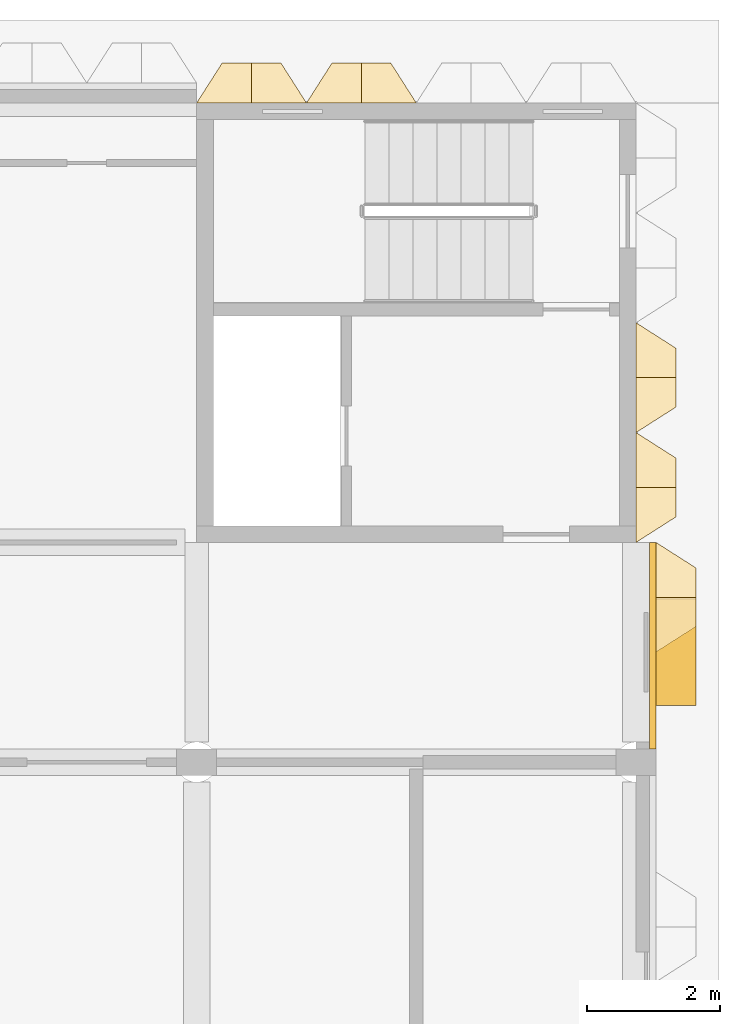
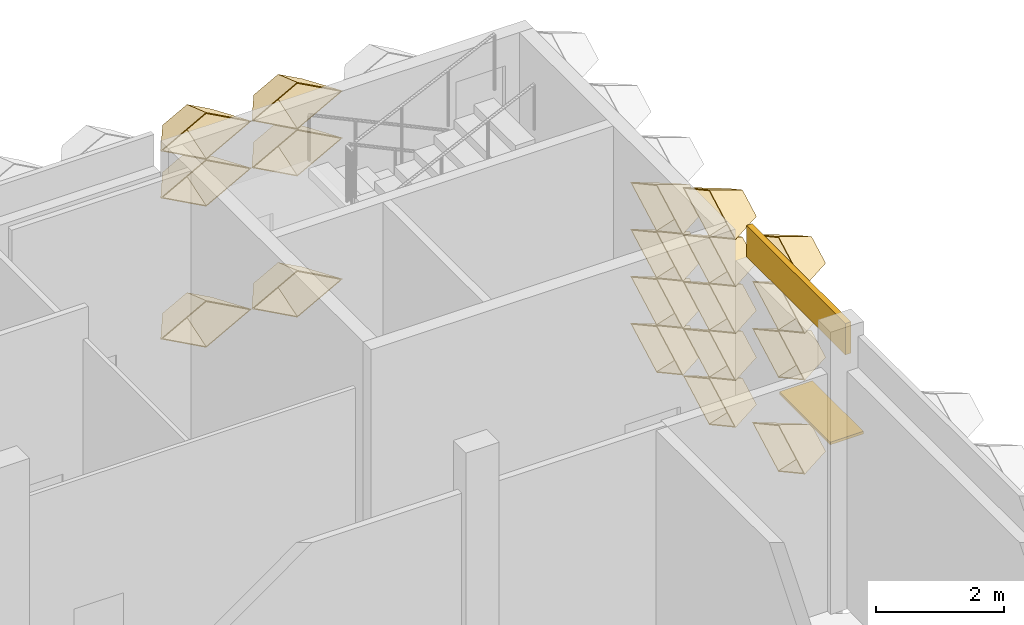
# One storey, part 83 of 85: 20 coverings, 1 shading device.
"""IFC4 building model written with IfcOpenShell, lengths in metres."""

from ifc_helpers import new_model, entity, si_unit, direction, frame, frame_2d, origin, origin_2d, place, context, subcontext, project, spatial, rectangle, extrude, material, layer, layer_set, type_object, element, save


model = new_model("IFC4")

# Units and contexts
model_context = context("Model", 3, precision=1e-05, world=origin(), true_north=direction((0.0, 1.0)))
body_context = subcontext(model_context, "Body", "Model", "MODEL_VIEW")
ifc_project = project(units=[si_unit("LENGTHUNIT", "METRE"), si_unit("AREAUNIT", "SQUARE_METRE"), si_unit("VOLUMEUNIT", "CUBIC_METRE"), si_unit("PLANEANGLEUNIT", "RADIAN"), si_unit("MASSUNIT", "GRAM", prefix="KILO")], contexts=[model_context])

# Site, building, storey
site_placement = place(None, origin())
site = spatial("IfcSite", under=ifc_project, at=site_placement, CompositionType="ELEMENT")
building_placement = place(site_placement, origin())
building = spatial("IfcBuilding", under=site, at=building_placement, Name="Lantern Court Research Institute", CompositionType="ELEMENT")
storey_placement = place(building_placement, origin())
storey = spatial("IfcBuildingStorey", under=building, at=storey_placement, Name="L00", CompositionType="ELEMENT", Elevation=0.0)

# Shading device
ifc_material_1 = material(Name="Aluminium alloy 6063-T6", Category="aluminium")
ifc_layer_1 = layer(ifc_material_1, 0.050048828125)
ifc_layer_set_1 = layer_set([ifc_layer_1], Name="Aluminium alloy 6063-T6")
shading_device_type = type_object("IfcShadingDeviceType", Name="Brise-soleil blade 1600 x 600 x 50 aluminium", PredefinedType="USERDEFINED", material=ifc_layer_set_1)
shading_device_placement = place(storey_placement, frame((79.800048828125, 90.75, 2.39990234375), z_axis=(0.0, 0.0, 1.0), x_axis=(0.0, -1.0, 0.0)))
element("IfcShadingDevice", 1, at=shading_device_placement, inside=storey, type_object=shading_device_type, Name="Brise-soleil blade L00 E", ObjectType="LOUVRE", PredefinedType="USERDEFINED", context=body_context, shape_type="SweptSolid", body=[
    extrude(rectangle(XDim=1.60009765625, YDim=0.60009765625, at=origin_2d()), origin(), (0.0, 0.0, 1.0), 0.050048828125),
])

# Coverings
ifc_material_2 = material(Name="Aluminium composite panel with mineral wool insulation", Category="aluminium")
ifc_layer_2 = layer(ifc_material_2, 0.10009765625)
ifc_layer_set_2 = layer_set([ifc_layer_2], Name="Aluminium composite panel with mineral wool insulation")
covering_type_1 = type_object("IfcCoveringType", Name="Edge fascia panel 100 aluminium faced", PredefinedType="CLADDING", material=ifc_layer_set_2)
covering_1_placement = place(storey_placement, frame((79.449951171875, 92.39990234375, 4.550048828125), z_axis=(0.0, 0.0, 1.0), x_axis=(0.0, -1.0, 0.0)))
element("IfcCovering", 2, at=covering_1_placement, inside=storey, type_object=covering_type_1, Name="Edge fascia V6E L00 02", PredefinedType="CLADDING", context=body_context, shape_type="SweptSolid", body=[
    extrude(rectangle(XDim=3.099853515625, YDim=0.10009765625, at=frame_2d((1.5498046875, 0.0))), origin(), (0.0, 0.0, 1.0), 0.599853515625),
])
ifc_material_3 = material(Name="Anodised aluminium", Category="aluminium")
ifc_layer_3 = layer(ifc_material_3, 0.01611328125)
ifc_layer_set_3 = layer_set([ifc_layer_3], Name="Anodised aluminium")
covering_type_2 = type_object("IfcCoveringType", Name="Fin cassette 1650 x 900 x 600 aluminium", PredefinedType="CLADDING", material=ifc_layer_set_3)
covering_2_placement = place(storey_placement, frame((79.199951171875, 93.22509765625, 1.35009765625), z_axis=(1.0, 0.0, 0.0), x_axis=(0.0, 1.0, 0.0)))
cartesian_point_1 = entity("IfcCartesianPoint", [0.824951171875, 0.0])
cartesian_point_2 = entity("IfcCartesianPoint", [0.79150390625, 0.0])
cartesian_point_3 = entity("IfcCartesianPoint", [0.44189453125, 0.0])
cartesian_point_4 = entity("IfcCartesianPoint", [0.43359375, 0.0])
element("IfcCovering", 3, at=covering_2_placement, inside=storey, type_object=covering_type_2, Name="Fin cassette V6E-L00 2.57", PredefinedType="CLADDING", context=body_context, shape_type="SweptSolid", body=[
    entity("IfcExtrudedAreaSolidTapered", entity("IfcArbitraryProfileDefWithVoids", "AREA", None, entity("IfcPolyline", [cartesian_point_1, entity("IfcCartesianPoint", [0.0, 0.449951171875]), entity("IfcCartesianPoint", [-0.824951171875, 0.0]), entity("IfcCartesianPoint", [0.0, -0.449951171875]), cartesian_point_1]), [entity("IfcPolyline", [cartesian_point_2, entity("IfcCartesianPoint", [0.0, 0.431884765625]), entity("IfcCartesianPoint", [-0.79150390625, 0.0]), entity("IfcCartesianPoint", [0.0, -0.431884765625]), cartesian_point_2])]), entity("IfcAxis2Placement3D", entity("IfcCartesianPoint", [0.0, 0.0, 0.0])), entity("IfcDirection", [0.0, 0.0, 1.0]), 0.60009765625, entity("IfcArbitraryProfileDefWithVoids", "AREA", None, entity("IfcPolyline", [cartesian_point_3, entity("IfcCartesianPoint", [0.0, 0.240966796875]), entity("IfcCartesianPoint", [-0.44189453125, 0.0]), entity("IfcCartesianPoint", [0.0, -0.240966796875]), cartesian_point_3]), [entity("IfcPolyline", [cartesian_point_4, entity("IfcCartesianPoint", [0.0, 0.236572265625]), entity("IfcCartesianPoint", [-0.43359375, 0.0]), entity("IfcCartesianPoint", [0.0, -0.236572265625]), cartesian_point_4])])),
])
covering_3_placement = place(storey_placement, frame((79.199951171875, 94.875, 1.35009765625), z_axis=(1.0, 0.0, 0.0), x_axis=(0.0, 1.0, 0.0)))
cartesian_point_5 = entity("IfcCartesianPoint", [0.824951171875, 0.0])
cartesian_point_6 = entity("IfcCartesianPoint", [0.79150390625, 0.0])
cartesian_point_7 = entity("IfcCartesianPoint", [0.44189453125, 0.0])
cartesian_point_8 = entity("IfcCartesianPoint", [0.43359375, 0.0])
element("IfcCovering", 4, at=covering_3_placement, inside=storey, type_object=covering_type_2, Name="Fin cassette V6E-L00 2.58", PredefinedType="CLADDING", context=body_context, shape_type="SweptSolid", body=[
    entity("IfcExtrudedAreaSolidTapered", entity("IfcArbitraryProfileDefWithVoids", "AREA", None, entity("IfcPolyline", [cartesian_point_5, entity("IfcCartesianPoint", [0.0, 0.449951171875]), entity("IfcCartesianPoint", [-0.824951171875, 0.0]), entity("IfcCartesianPoint", [0.0, -0.449951171875]), cartesian_point_5]), [entity("IfcPolyline", [cartesian_point_6, entity("IfcCartesianPoint", [0.0, 0.431884765625]), entity("IfcCartesianPoint", [-0.79150390625, 0.0]), entity("IfcCartesianPoint", [0.0, -0.431884765625]), cartesian_point_6])]), entity("IfcAxis2Placement3D", entity("IfcCartesianPoint", [0.0, 0.0, 0.0])), entity("IfcDirection", [0.0, 0.0, 1.0]), 0.60009765625, entity("IfcArbitraryProfileDefWithVoids", "AREA", None, entity("IfcPolyline", [cartesian_point_7, entity("IfcCartesianPoint", [0.0, 0.240966796875]), entity("IfcCartesianPoint", [-0.44189453125, 0.0]), entity("IfcCartesianPoint", [0.0, -0.240966796875]), cartesian_point_7]), [entity("IfcPolyline", [cartesian_point_8, entity("IfcCartesianPoint", [0.0, 0.236572265625]), entity("IfcCartesianPoint", [-0.43359375, 0.0]), entity("IfcCartesianPoint", [0.0, -0.236572265625]), cartesian_point_8])])),
])
covering_4_placement = place(storey_placement, frame((79.199951171875, 93.22509765625, 2.25), z_axis=(1.0, 0.0, 0.0), x_axis=(0.0, 1.0, 0.0)))
cartesian_point_9 = entity("IfcCartesianPoint", [0.824951171875, 0.0])
cartesian_point_10 = entity("IfcCartesianPoint", [0.79150390625, 0.0])
cartesian_point_11 = entity("IfcCartesianPoint", [0.44189453125, 0.0])
cartesian_point_12 = entity("IfcCartesianPoint", [0.43359375, 0.0])
element("IfcCovering", 5, at=covering_4_placement, inside=storey, type_object=covering_type_2, Name="Fin cassette V6E-L00 3.57", PredefinedType="CLADDING", context=body_context, shape_type="SweptSolid", body=[
    entity("IfcExtrudedAreaSolidTapered", entity("IfcArbitraryProfileDefWithVoids", "AREA", None, entity("IfcPolyline", [cartesian_point_9, entity("IfcCartesianPoint", [0.0, 0.449951171875]), entity("IfcCartesianPoint", [-0.824951171875, 0.0]), entity("IfcCartesianPoint", [0.0, -0.449951171875]), cartesian_point_9]), [entity("IfcPolyline", [cartesian_point_10, entity("IfcCartesianPoint", [0.0, 0.431884765625]), entity("IfcCartesianPoint", [-0.79150390625, 0.0]), entity("IfcCartesianPoint", [0.0, -0.431884765625]), cartesian_point_10])]), entity("IfcAxis2Placement3D", entity("IfcCartesianPoint", [0.0, 0.0, 0.0])), entity("IfcDirection", [0.0, 0.0, 1.0]), 0.60009765625, entity("IfcArbitraryProfileDefWithVoids", "AREA", None, entity("IfcPolyline", [cartesian_point_11, entity("IfcCartesianPoint", [0.0, 0.240966796875]), entity("IfcCartesianPoint", [-0.44189453125, 0.0]), entity("IfcCartesianPoint", [0.0, -0.240966796875]), cartesian_point_11]), [entity("IfcPolyline", [cartesian_point_12, entity("IfcCartesianPoint", [0.0, 0.236572265625]), entity("IfcCartesianPoint", [-0.43359375, 0.0]), entity("IfcCartesianPoint", [0.0, -0.236572265625]), cartesian_point_12])])),
])
covering_5_placement = place(storey_placement, frame((79.199951171875, 94.875, 2.25), z_axis=(1.0, 0.0, 0.0), x_axis=(0.0, 1.0, 0.0)))
cartesian_point_13 = entity("IfcCartesianPoint", [0.824951171875, 0.0])
cartesian_point_14 = entity("IfcCartesianPoint", [0.79150390625, 0.0])
cartesian_point_15 = entity("IfcCartesianPoint", [0.44189453125, 0.0])
cartesian_point_16 = entity("IfcCartesianPoint", [0.43359375, 0.0])
element("IfcCovering", 6, at=covering_5_placement, inside=storey, type_object=covering_type_2, Name="Fin cassette V6E-L00 3.58", PredefinedType="CLADDING", context=body_context, shape_type="SweptSolid", body=[
    entity("IfcExtrudedAreaSolidTapered", entity("IfcArbitraryProfileDefWithVoids", "AREA", None, entity("IfcPolyline", [cartesian_point_13, entity("IfcCartesianPoint", [0.0, 0.449951171875]), entity("IfcCartesianPoint", [-0.824951171875, 0.0]), entity("IfcCartesianPoint", [0.0, -0.449951171875]), cartesian_point_13]), [entity("IfcPolyline", [cartesian_point_14, entity("IfcCartesianPoint", [0.0, 0.431884765625]), entity("IfcCartesianPoint", [-0.79150390625, 0.0]), entity("IfcCartesianPoint", [0.0, -0.431884765625]), cartesian_point_14])]), entity("IfcAxis2Placement3D", entity("IfcCartesianPoint", [0.0, 0.0, 0.0])), entity("IfcDirection", [0.0, 0.0, 1.0]), 0.60009765625, entity("IfcArbitraryProfileDefWithVoids", "AREA", None, entity("IfcPolyline", [cartesian_point_15, entity("IfcCartesianPoint", [0.0, 0.240966796875]), entity("IfcCartesianPoint", [-0.44189453125, 0.0]), entity("IfcCartesianPoint", [0.0, -0.240966796875]), cartesian_point_15]), [entity("IfcPolyline", [cartesian_point_16, entity("IfcCartesianPoint", [0.0, 0.236572265625]), entity("IfcCartesianPoint", [-0.43359375, 0.0]), entity("IfcCartesianPoint", [0.0, -0.236572265625]), cartesian_point_16])])),
])
covering_6_placement = place(storey_placement, frame((79.199951171875, 93.22509765625, 3.14990234375), z_axis=(1.0, 0.0, 0.0), x_axis=(0.0, 1.0, 0.0)))
cartesian_point_17 = entity("IfcCartesianPoint", [0.824951171875, 0.0])
cartesian_point_18 = entity("IfcCartesianPoint", [0.79150390625, 0.0])
cartesian_point_19 = entity("IfcCartesianPoint", [0.44189453125, 0.0])
cartesian_point_20 = entity("IfcCartesianPoint", [0.43359375, 0.0])
element("IfcCovering", 7, at=covering_6_placement, inside=storey, type_object=covering_type_2, Name="Fin cassette V6E-L00 4.57", PredefinedType="CLADDING", context=body_context, shape_type="SweptSolid", body=[
    entity("IfcExtrudedAreaSolidTapered", entity("IfcArbitraryProfileDefWithVoids", "AREA", None, entity("IfcPolyline", [cartesian_point_17, entity("IfcCartesianPoint", [0.0, 0.449951171875]), entity("IfcCartesianPoint", [-0.824951171875, 0.0]), entity("IfcCartesianPoint", [0.0, -0.449951171875]), cartesian_point_17]), [entity("IfcPolyline", [cartesian_point_18, entity("IfcCartesianPoint", [0.0, 0.431884765625]), entity("IfcCartesianPoint", [-0.79150390625, 0.0]), entity("IfcCartesianPoint", [0.0, -0.431884765625]), cartesian_point_18])]), entity("IfcAxis2Placement3D", entity("IfcCartesianPoint", [0.0, 0.0, 0.0])), entity("IfcDirection", [0.0, 0.0, 1.0]), 0.60009765625, entity("IfcArbitraryProfileDefWithVoids", "AREA", None, entity("IfcPolyline", [cartesian_point_19, entity("IfcCartesianPoint", [0.0, 0.240966796875]), entity("IfcCartesianPoint", [-0.44189453125, 0.0]), entity("IfcCartesianPoint", [0.0, -0.240966796875]), cartesian_point_19]), [entity("IfcPolyline", [cartesian_point_20, entity("IfcCartesianPoint", [0.0, 0.236572265625]), entity("IfcCartesianPoint", [-0.43359375, 0.0]), entity("IfcCartesianPoint", [0.0, -0.236572265625]), cartesian_point_20])])),
])
covering_7_placement = place(storey_placement, frame((79.199951171875, 94.875, 3.14990234375), z_axis=(1.0, 0.0, 0.0), x_axis=(0.0, 1.0, 0.0)))
cartesian_point_21 = entity("IfcCartesianPoint", [0.824951171875, 0.0])
cartesian_point_22 = entity("IfcCartesianPoint", [0.79150390625, 0.0])
cartesian_point_23 = entity("IfcCartesianPoint", [0.44189453125, 0.0])
cartesian_point_24 = entity("IfcCartesianPoint", [0.43359375, 0.0])
element("IfcCovering", 8, at=covering_7_placement, inside=storey, type_object=covering_type_2, Name="Fin cassette V6E-L00 4.58", PredefinedType="CLADDING", context=body_context, shape_type="SweptSolid", body=[
    entity("IfcExtrudedAreaSolidTapered", entity("IfcArbitraryProfileDefWithVoids", "AREA", None, entity("IfcPolyline", [cartesian_point_21, entity("IfcCartesianPoint", [0.0, 0.449951171875]), entity("IfcCartesianPoint", [-0.824951171875, 0.0]), entity("IfcCartesianPoint", [0.0, -0.449951171875]), cartesian_point_21]), [entity("IfcPolyline", [cartesian_point_22, entity("IfcCartesianPoint", [0.0, 0.431884765625]), entity("IfcCartesianPoint", [-0.79150390625, 0.0]), entity("IfcCartesianPoint", [0.0, -0.431884765625]), cartesian_point_22])]), entity("IfcAxis2Placement3D", entity("IfcCartesianPoint", [0.0, 0.0, 0.0])), entity("IfcDirection", [0.0, 0.0, 1.0]), 0.60009765625, entity("IfcArbitraryProfileDefWithVoids", "AREA", None, entity("IfcPolyline", [cartesian_point_23, entity("IfcCartesianPoint", [0.0, 0.240966796875]), entity("IfcCartesianPoint", [-0.44189453125, 0.0]), entity("IfcCartesianPoint", [0.0, -0.240966796875]), cartesian_point_23]), [entity("IfcPolyline", [cartesian_point_24, entity("IfcCartesianPoint", [0.0, 0.236572265625]), entity("IfcCartesianPoint", [-0.43359375, 0.0]), entity("IfcCartesianPoint", [0.0, -0.236572265625]), cartesian_point_24])])),
])
covering_8_placement = place(storey_placement, frame((79.199951171875, 93.22509765625, 4.050048828125), z_axis=(1.0, 0.0, 0.0), x_axis=(0.0, 1.0, 0.0)))
cartesian_point_25 = entity("IfcCartesianPoint", [0.824951171875, 0.0])
cartesian_point_26 = entity("IfcCartesianPoint", [0.79150390625, 0.0])
cartesian_point_27 = entity("IfcCartesianPoint", [0.44189453125, 0.0])
cartesian_point_28 = entity("IfcCartesianPoint", [0.43359375, 0.0])
element("IfcCovering", 9, at=covering_8_placement, inside=storey, type_object=covering_type_2, Name="Fin cassette V6E-L00 5.57", PredefinedType="CLADDING", context=body_context, shape_type="SweptSolid", body=[
    entity("IfcExtrudedAreaSolidTapered", entity("IfcArbitraryProfileDefWithVoids", "AREA", None, entity("IfcPolyline", [cartesian_point_25, entity("IfcCartesianPoint", [0.0, 0.449951171875]), entity("IfcCartesianPoint", [-0.824951171875, 0.0]), entity("IfcCartesianPoint", [0.0, -0.449951171875]), cartesian_point_25]), [entity("IfcPolyline", [cartesian_point_26, entity("IfcCartesianPoint", [0.0, 0.431884765625]), entity("IfcCartesianPoint", [-0.79150390625, 0.0]), entity("IfcCartesianPoint", [0.0, -0.431884765625]), cartesian_point_26])]), entity("IfcAxis2Placement3D", entity("IfcCartesianPoint", [0.0, 0.0, 0.0])), entity("IfcDirection", [0.0, 0.0, 1.0]), 0.60009765625, entity("IfcArbitraryProfileDefWithVoids", "AREA", None, entity("IfcPolyline", [cartesian_point_27, entity("IfcCartesianPoint", [0.0, 0.240966796875]), entity("IfcCartesianPoint", [-0.44189453125, 0.0]), entity("IfcCartesianPoint", [0.0, -0.240966796875]), cartesian_point_27]), [entity("IfcPolyline", [cartesian_point_28, entity("IfcCartesianPoint", [0.0, 0.236572265625]), entity("IfcCartesianPoint", [-0.43359375, 0.0]), entity("IfcCartesianPoint", [0.0, -0.236572265625]), cartesian_point_28])])),
])
covering_9_placement = place(storey_placement, frame((79.199951171875, 94.875, 4.050048828125), z_axis=(1.0, 0.0, 0.0), x_axis=(0.0, 1.0, 0.0)))
cartesian_point_29 = entity("IfcCartesianPoint", [0.824951171875, 0.0])
cartesian_point_30 = entity("IfcCartesianPoint", [0.79150390625, 0.0])
cartesian_point_31 = entity("IfcCartesianPoint", [0.44189453125, 0.0])
cartesian_point_32 = entity("IfcCartesianPoint", [0.43359375, 0.0])
element("IfcCovering", 10, at=covering_9_placement, inside=storey, type_object=covering_type_2, Name="Fin cassette V6E-L00 5.58", PredefinedType="CLADDING", context=body_context, shape_type="SweptSolid", body=[
    entity("IfcExtrudedAreaSolidTapered", entity("IfcArbitraryProfileDefWithVoids", "AREA", None, entity("IfcPolyline", [cartesian_point_29, entity("IfcCartesianPoint", [0.0, 0.449951171875]), entity("IfcCartesianPoint", [-0.824951171875, 0.0]), entity("IfcCartesianPoint", [0.0, -0.449951171875]), cartesian_point_29]), [entity("IfcPolyline", [cartesian_point_30, entity("IfcCartesianPoint", [0.0, 0.431884765625]), entity("IfcCartesianPoint", [-0.79150390625, 0.0]), entity("IfcCartesianPoint", [0.0, -0.431884765625]), cartesian_point_30])]), entity("IfcAxis2Placement3D", entity("IfcCartesianPoint", [0.0, 0.0, 0.0])), entity("IfcDirection", [0.0, 0.0, 1.0]), 0.60009765625, entity("IfcArbitraryProfileDefWithVoids", "AREA", None, entity("IfcPolyline", [cartesian_point_31, entity("IfcCartesianPoint", [0.0, 0.240966796875]), entity("IfcCartesianPoint", [-0.44189453125, 0.0]), entity("IfcCartesianPoint", [0.0, -0.240966796875]), cartesian_point_31]), [entity("IfcPolyline", [cartesian_point_32, entity("IfcCartesianPoint", [0.0, 0.236572265625]), entity("IfcCartesianPoint", [-0.43359375, 0.0]), entity("IfcCartesianPoint", [0.0, -0.236572265625]), cartesian_point_32])])),
])
covering_10_placement = place(storey_placement, frame((79.199951171875, 93.22509765625, 4.949951171875), z_axis=(1.0, 0.0, 0.0), x_axis=(0.0, 1.0, 0.0)))
cartesian_point_33 = entity("IfcCartesianPoint", [0.824951171875, 0.0])
cartesian_point_34 = entity("IfcCartesianPoint", [0.79150390625, 0.0])
cartesian_point_35 = entity("IfcCartesianPoint", [0.44189453125, 0.0])
cartesian_point_36 = entity("IfcCartesianPoint", [0.43359375, 0.0])
element("IfcCovering", 11, at=covering_10_placement, inside=storey, type_object=covering_type_2, Name="Fin cassette V6E-L00 6.57", PredefinedType="CLADDING", context=body_context, shape_type="SweptSolid", body=[
    entity("IfcExtrudedAreaSolidTapered", entity("IfcArbitraryProfileDefWithVoids", "AREA", None, entity("IfcPolyline", [cartesian_point_33, entity("IfcCartesianPoint", [0.0, 0.449951171875]), entity("IfcCartesianPoint", [-0.824951171875, 0.0]), entity("IfcCartesianPoint", [0.0, -0.449951171875]), cartesian_point_33]), [entity("IfcPolyline", [cartesian_point_34, entity("IfcCartesianPoint", [0.0, 0.431884765625]), entity("IfcCartesianPoint", [-0.79150390625, 0.0]), entity("IfcCartesianPoint", [0.0, -0.431884765625]), cartesian_point_34])]), entity("IfcAxis2Placement3D", entity("IfcCartesianPoint", [0.0, 0.0, 0.0])), entity("IfcDirection", [0.0, 0.0, 1.0]), 0.60009765625, entity("IfcArbitraryProfileDefWithVoids", "AREA", None, entity("IfcPolyline", [cartesian_point_35, entity("IfcCartesianPoint", [0.0, 0.240966796875]), entity("IfcCartesianPoint", [-0.44189453125, 0.0]), entity("IfcCartesianPoint", [0.0, -0.240966796875]), cartesian_point_35]), [entity("IfcPolyline", [cartesian_point_36, entity("IfcCartesianPoint", [0.0, 0.236572265625]), entity("IfcCartesianPoint", [-0.43359375, 0.0]), entity("IfcCartesianPoint", [0.0, -0.236572265625]), cartesian_point_36])])),
])
covering_11_placement = place(storey_placement, frame((79.5, 91.574951171875, 1.35009765625), z_axis=(1.0, 0.0, 0.0), x_axis=(0.0, 1.0, 0.0)))
cartesian_point_37 = entity("IfcCartesianPoint", [0.824951171875, 0.0])
cartesian_point_38 = entity("IfcCartesianPoint", [0.79150390625, 0.0])
cartesian_point_39 = entity("IfcCartesianPoint", [0.44189453125, 0.0])
cartesian_point_40 = entity("IfcCartesianPoint", [0.43359375, 0.0])
element("IfcCovering", 12, at=covering_11_placement, inside=storey, type_object=covering_type_2, Name="Fin cassette V6E-L00 2.56", PredefinedType="CLADDING", context=body_context, shape_type="SweptSolid", body=[
    entity("IfcExtrudedAreaSolidTapered", entity("IfcArbitraryProfileDefWithVoids", "AREA", None, entity("IfcPolyline", [cartesian_point_37, entity("IfcCartesianPoint", [0.0, 0.449951171875]), entity("IfcCartesianPoint", [-0.824951171875, 0.0]), entity("IfcCartesianPoint", [0.0, -0.449951171875]), cartesian_point_37]), [entity("IfcPolyline", [cartesian_point_38, entity("IfcCartesianPoint", [0.0, 0.431884765625]), entity("IfcCartesianPoint", [-0.79150390625, 0.0]), entity("IfcCartesianPoint", [0.0, -0.431884765625]), cartesian_point_38])]), entity("IfcAxis2Placement3D", entity("IfcCartesianPoint", [0.0, 0.0, 0.0])), entity("IfcDirection", [0.0, 0.0, 1.0]), 0.60009765625, entity("IfcArbitraryProfileDefWithVoids", "AREA", None, entity("IfcPolyline", [cartesian_point_39, entity("IfcCartesianPoint", [0.0, 0.240966796875]), entity("IfcCartesianPoint", [-0.44189453125, 0.0]), entity("IfcCartesianPoint", [0.0, -0.240966796875]), cartesian_point_39]), [entity("IfcPolyline", [cartesian_point_40, entity("IfcCartesianPoint", [0.0, 0.236572265625]), entity("IfcCartesianPoint", [-0.43359375, 0.0]), entity("IfcCartesianPoint", [0.0, -0.236572265625]), cartesian_point_40])])),
])
covering_12_placement = place(storey_placement, frame((79.5, 91.574951171875, 3.14990234375), z_axis=(1.0, 0.0, 0.0), x_axis=(0.0, 1.0, 0.0)))
cartesian_point_41 = entity("IfcCartesianPoint", [0.824951171875, 0.0])
cartesian_point_42 = entity("IfcCartesianPoint", [0.79150390625, 0.0])
cartesian_point_43 = entity("IfcCartesianPoint", [0.44189453125, 0.0])
cartesian_point_44 = entity("IfcCartesianPoint", [0.43359375, 0.0])
element("IfcCovering", 13, at=covering_12_placement, inside=storey, type_object=covering_type_2, Name="Fin cassette V6E-L00 4.56", PredefinedType="CLADDING", context=body_context, shape_type="SweptSolid", body=[
    entity("IfcExtrudedAreaSolidTapered", entity("IfcArbitraryProfileDefWithVoids", "AREA", None, entity("IfcPolyline", [cartesian_point_41, entity("IfcCartesianPoint", [0.0, 0.449951171875]), entity("IfcCartesianPoint", [-0.824951171875, 0.0]), entity("IfcCartesianPoint", [0.0, -0.449951171875]), cartesian_point_41]), [entity("IfcPolyline", [cartesian_point_42, entity("IfcCartesianPoint", [0.0, 0.431884765625]), entity("IfcCartesianPoint", [-0.79150390625, 0.0]), entity("IfcCartesianPoint", [0.0, -0.431884765625]), cartesian_point_42])]), entity("IfcAxis2Placement3D", entity("IfcCartesianPoint", [0.0, 0.0, 0.0])), entity("IfcDirection", [0.0, 0.0, 1.0]), 0.60009765625, entity("IfcArbitraryProfileDefWithVoids", "AREA", None, entity("IfcPolyline", [cartesian_point_43, entity("IfcCartesianPoint", [0.0, 0.240966796875]), entity("IfcCartesianPoint", [-0.44189453125, 0.0]), entity("IfcCartesianPoint", [0.0, -0.240966796875]), cartesian_point_43]), [entity("IfcPolyline", [cartesian_point_44, entity("IfcCartesianPoint", [0.0, 0.236572265625]), entity("IfcCartesianPoint", [-0.43359375, 0.0]), entity("IfcCartesianPoint", [0.0, -0.236572265625]), cartesian_point_44])])),
])
covering_13_placement = place(storey_placement, frame((79.5, 91.574951171875, 4.050048828125), z_axis=(1.0, 0.0, 0.0), x_axis=(0.0, 1.0, 0.0)))
cartesian_point_45 = entity("IfcCartesianPoint", [0.824951171875, 0.0])
cartesian_point_46 = entity("IfcCartesianPoint", [0.79150390625, 0.0])
cartesian_point_47 = entity("IfcCartesianPoint", [0.44189453125, 0.0])
cartesian_point_48 = entity("IfcCartesianPoint", [0.43359375, 0.0])
element("IfcCovering", 14, at=covering_13_placement, inside=storey, type_object=covering_type_2, Name="Fin cassette V6E-L00 5.56", PredefinedType="CLADDING", context=body_context, shape_type="SweptSolid", body=[
    entity("IfcExtrudedAreaSolidTapered", entity("IfcArbitraryProfileDefWithVoids", "AREA", None, entity("IfcPolyline", [cartesian_point_45, entity("IfcCartesianPoint", [0.0, 0.449951171875]), entity("IfcCartesianPoint", [-0.824951171875, 0.0]), entity("IfcCartesianPoint", [0.0, -0.449951171875]), cartesian_point_45]), [entity("IfcPolyline", [cartesian_point_46, entity("IfcCartesianPoint", [0.0, 0.431884765625]), entity("IfcCartesianPoint", [-0.79150390625, 0.0]), entity("IfcCartesianPoint", [0.0, -0.431884765625]), cartesian_point_46])]), entity("IfcAxis2Placement3D", entity("IfcCartesianPoint", [0.0, 0.0, 0.0])), entity("IfcDirection", [0.0, 0.0, 1.0]), 0.60009765625, entity("IfcArbitraryProfileDefWithVoids", "AREA", None, entity("IfcPolyline", [cartesian_point_47, entity("IfcCartesianPoint", [0.0, 0.240966796875]), entity("IfcCartesianPoint", [-0.44189453125, 0.0]), entity("IfcCartesianPoint", [0.0, -0.240966796875]), cartesian_point_47]), [entity("IfcPolyline", [cartesian_point_48, entity("IfcCartesianPoint", [0.0, 0.236572265625]), entity("IfcCartesianPoint", [-0.43359375, 0.0]), entity("IfcCartesianPoint", [0.0, -0.236572265625]), cartesian_point_48])])),
])
covering_14_placement = place(storey_placement, frame((79.5, 91.574951171875, 4.949951171875), z_axis=(1.0, 0.0, 0.0), x_axis=(0.0, 1.0, 0.0)))
cartesian_point_49 = entity("IfcCartesianPoint", [0.824951171875, 0.0])
cartesian_point_50 = entity("IfcCartesianPoint", [0.79150390625, 0.0])
cartesian_point_51 = entity("IfcCartesianPoint", [0.44189453125, 0.0])
cartesian_point_52 = entity("IfcCartesianPoint", [0.43359375, 0.0])
element("IfcCovering", 15, at=covering_14_placement, inside=storey, type_object=covering_type_2, Name="Fin cassette V6E-L00 6.56", PredefinedType="CLADDING", context=body_context, shape_type="SweptSolid", body=[
    entity("IfcExtrudedAreaSolidTapered", entity("IfcArbitraryProfileDefWithVoids", "AREA", None, entity("IfcPolyline", [cartesian_point_49, entity("IfcCartesianPoint", [0.0, 0.449951171875]), entity("IfcCartesianPoint", [-0.824951171875, 0.0]), entity("IfcCartesianPoint", [0.0, -0.449951171875]), cartesian_point_49]), [entity("IfcPolyline", [cartesian_point_50, entity("IfcCartesianPoint", [0.0, 0.431884765625]), entity("IfcCartesianPoint", [-0.79150390625, 0.0]), entity("IfcCartesianPoint", [0.0, -0.431884765625]), cartesian_point_50])]), entity("IfcAxis2Placement3D", entity("IfcCartesianPoint", [0.0, 0.0, 0.0])), entity("IfcDirection", [0.0, 0.0, 1.0]), 0.60009765625, entity("IfcArbitraryProfileDefWithVoids", "AREA", None, entity("IfcPolyline", [cartesian_point_51, entity("IfcCartesianPoint", [0.0, 0.240966796875]), entity("IfcCartesianPoint", [-0.44189453125, 0.0]), entity("IfcCartesianPoint", [0.0, -0.240966796875]), cartesian_point_51]), [entity("IfcPolyline", [cartesian_point_52, entity("IfcCartesianPoint", [0.0, 0.236572265625]), entity("IfcCartesianPoint", [-0.43359375, 0.0]), entity("IfcCartesianPoint", [0.0, -0.236572265625]), cartesian_point_52])])),
])
covering_15_placement = place(storey_placement, frame((73.425048828125, 99.0, 1.35009765625), z_axis=(0.0, 1.0, 0.0), x_axis=(-1.0, 0.0, 0.0)))
cartesian_point_53 = entity("IfcCartesianPoint", [0.824951171875, 0.0])
cartesian_point_54 = entity("IfcCartesianPoint", [0.79150390625, 0.0])
cartesian_point_55 = entity("IfcCartesianPoint", [0.44189453125, 0.0])
cartesian_point_56 = entity("IfcCartesianPoint", [0.43359375, 0.0])
element("IfcCovering", 16, at=covering_15_placement, inside=storey, type_object=covering_type_2, Name="Fin cassette V6N-L00 2.45", PredefinedType="CLADDING", context=body_context, shape_type="SweptSolid", body=[
    entity("IfcExtrudedAreaSolidTapered", entity("IfcArbitraryProfileDefWithVoids", "AREA", None, entity("IfcPolyline", [cartesian_point_53, entity("IfcCartesianPoint", [0.0, 0.449951171875]), entity("IfcCartesianPoint", [-0.824951171875, 0.0]), entity("IfcCartesianPoint", [0.0, -0.449951171875]), cartesian_point_53]), [entity("IfcPolyline", [cartesian_point_54, entity("IfcCartesianPoint", [0.0, 0.431884765625]), entity("IfcCartesianPoint", [-0.79150390625, 0.0]), entity("IfcCartesianPoint", [0.0, -0.431884765625]), cartesian_point_54])]), entity("IfcAxis2Placement3D", entity("IfcCartesianPoint", [0.0, 0.0, 0.0])), entity("IfcDirection", [0.0, 0.0, 1.0]), 0.60009765625, entity("IfcArbitraryProfileDefWithVoids", "AREA", None, entity("IfcPolyline", [cartesian_point_55, entity("IfcCartesianPoint", [0.0, 0.240966796875]), entity("IfcCartesianPoint", [-0.44189453125, 0.0]), entity("IfcCartesianPoint", [0.0, -0.240966796875]), cartesian_point_55]), [entity("IfcPolyline", [cartesian_point_56, entity("IfcCartesianPoint", [0.0, 0.236572265625]), entity("IfcCartesianPoint", [-0.43359375, 0.0]), entity("IfcCartesianPoint", [0.0, -0.236572265625]), cartesian_point_56])])),
])
covering_16_placement = place(storey_placement, frame((75.074951171875, 99.0, 1.35009765625), z_axis=(0.0, 1.0, 0.0), x_axis=(-1.0, 0.0, 0.0)))
cartesian_point_57 = entity("IfcCartesianPoint", [0.824951171875, 0.0])
cartesian_point_58 = entity("IfcCartesianPoint", [0.79150390625, 0.0])
cartesian_point_59 = entity("IfcCartesianPoint", [0.44189453125, 0.0])
cartesian_point_60 = entity("IfcCartesianPoint", [0.43359375, 0.0])
element("IfcCovering", 17, at=covering_16_placement, inside=storey, type_object=covering_type_2, Name="Fin cassette V6N-L00 2.46", PredefinedType="CLADDING", context=body_context, shape_type="SweptSolid", body=[
    entity("IfcExtrudedAreaSolidTapered", entity("IfcArbitraryProfileDefWithVoids", "AREA", None, entity("IfcPolyline", [cartesian_point_57, entity("IfcCartesianPoint", [0.0, 0.449951171875]), entity("IfcCartesianPoint", [-0.824951171875, 0.0]), entity("IfcCartesianPoint", [0.0, -0.449951171875]), cartesian_point_57]), [entity("IfcPolyline", [cartesian_point_58, entity("IfcCartesianPoint", [0.0, 0.431884765625]), entity("IfcCartesianPoint", [-0.79150390625, 0.0]), entity("IfcCartesianPoint", [0.0, -0.431884765625]), cartesian_point_58])]), entity("IfcAxis2Placement3D", entity("IfcCartesianPoint", [0.0, 0.0, 0.0])), entity("IfcDirection", [0.0, 0.0, 1.0]), 0.60009765625, entity("IfcArbitraryProfileDefWithVoids", "AREA", None, entity("IfcPolyline", [cartesian_point_59, entity("IfcCartesianPoint", [0.0, 0.240966796875]), entity("IfcCartesianPoint", [-0.44189453125, 0.0]), entity("IfcCartesianPoint", [0.0, -0.240966796875]), cartesian_point_59]), [entity("IfcPolyline", [cartesian_point_60, entity("IfcCartesianPoint", [0.0, 0.236572265625]), entity("IfcCartesianPoint", [-0.43359375, 0.0]), entity("IfcCartesianPoint", [0.0, -0.236572265625]), cartesian_point_60])])),
])
covering_17_placement = place(storey_placement, frame((73.425048828125, 99.0, 4.050048828125), z_axis=(0.0, 1.0, 0.0), x_axis=(-1.0, 0.0, 0.0)))
cartesian_point_61 = entity("IfcCartesianPoint", [0.824951171875, 0.0])
cartesian_point_62 = entity("IfcCartesianPoint", [0.79150390625, 0.0])
cartesian_point_63 = entity("IfcCartesianPoint", [0.44189453125, 0.0])
cartesian_point_64 = entity("IfcCartesianPoint", [0.43359375, 0.0])
element("IfcCovering", 18, at=covering_17_placement, inside=storey, type_object=covering_type_2, Name="Fin cassette V6N-L00 5.45", PredefinedType="CLADDING", context=body_context, shape_type="SweptSolid", body=[
    entity("IfcExtrudedAreaSolidTapered", entity("IfcArbitraryProfileDefWithVoids", "AREA", None, entity("IfcPolyline", [cartesian_point_61, entity("IfcCartesianPoint", [0.0, 0.449951171875]), entity("IfcCartesianPoint", [-0.824951171875, 0.0]), entity("IfcCartesianPoint", [0.0, -0.449951171875]), cartesian_point_61]), [entity("IfcPolyline", [cartesian_point_62, entity("IfcCartesianPoint", [0.0, 0.431884765625]), entity("IfcCartesianPoint", [-0.79150390625, 0.0]), entity("IfcCartesianPoint", [0.0, -0.431884765625]), cartesian_point_62])]), entity("IfcAxis2Placement3D", entity("IfcCartesianPoint", [0.0, 0.0, 0.0])), entity("IfcDirection", [0.0, 0.0, 1.0]), 0.60009765625, entity("IfcArbitraryProfileDefWithVoids", "AREA", None, entity("IfcPolyline", [cartesian_point_63, entity("IfcCartesianPoint", [0.0, 0.240966796875]), entity("IfcCartesianPoint", [-0.44189453125, 0.0]), entity("IfcCartesianPoint", [0.0, -0.240966796875]), cartesian_point_63]), [entity("IfcPolyline", [cartesian_point_64, entity("IfcCartesianPoint", [0.0, 0.236572265625]), entity("IfcCartesianPoint", [-0.43359375, 0.0]), entity("IfcCartesianPoint", [0.0, -0.236572265625]), cartesian_point_64])])),
])
covering_18_placement = place(storey_placement, frame((75.074951171875, 99.0, 4.050048828125), z_axis=(0.0, 1.0, 0.0), x_axis=(-1.0, 0.0, 0.0)))
cartesian_point_65 = entity("IfcCartesianPoint", [0.824951171875, 0.0])
cartesian_point_66 = entity("IfcCartesianPoint", [0.79150390625, 0.0])
cartesian_point_67 = entity("IfcCartesianPoint", [0.44189453125, 0.0])
cartesian_point_68 = entity("IfcCartesianPoint", [0.43359375, 0.0])
element("IfcCovering", 19, at=covering_18_placement, inside=storey, type_object=covering_type_2, Name="Fin cassette V6N-L00 5.46", PredefinedType="CLADDING", context=body_context, shape_type="SweptSolid", body=[
    entity("IfcExtrudedAreaSolidTapered", entity("IfcArbitraryProfileDefWithVoids", "AREA", None, entity("IfcPolyline", [cartesian_point_65, entity("IfcCartesianPoint", [0.0, 0.449951171875]), entity("IfcCartesianPoint", [-0.824951171875, 0.0]), entity("IfcCartesianPoint", [0.0, -0.449951171875]), cartesian_point_65]), [entity("IfcPolyline", [cartesian_point_66, entity("IfcCartesianPoint", [0.0, 0.431884765625]), entity("IfcCartesianPoint", [-0.79150390625, 0.0]), entity("IfcCartesianPoint", [0.0, -0.431884765625]), cartesian_point_66])]), entity("IfcAxis2Placement3D", entity("IfcCartesianPoint", [0.0, 0.0, 0.0])), entity("IfcDirection", [0.0, 0.0, 1.0]), 0.60009765625, entity("IfcArbitraryProfileDefWithVoids", "AREA", None, entity("IfcPolyline", [cartesian_point_67, entity("IfcCartesianPoint", [0.0, 0.240966796875]), entity("IfcCartesianPoint", [-0.44189453125, 0.0]), entity("IfcCartesianPoint", [0.0, -0.240966796875]), cartesian_point_67]), [entity("IfcPolyline", [cartesian_point_68, entity("IfcCartesianPoint", [0.0, 0.236572265625]), entity("IfcCartesianPoint", [-0.43359375, 0.0]), entity("IfcCartesianPoint", [0.0, -0.236572265625]), cartesian_point_68])])),
])
covering_19_placement = place(storey_placement, frame((73.425048828125, 99.0, 4.949951171875), z_axis=(0.0, 1.0, 0.0), x_axis=(-1.0, 0.0, 0.0)))
cartesian_point_69 = entity("IfcCartesianPoint", [0.824951171875, 0.0])
cartesian_point_70 = entity("IfcCartesianPoint", [0.79150390625, 0.0])
cartesian_point_71 = entity("IfcCartesianPoint", [0.44189453125, 0.0])
cartesian_point_72 = entity("IfcCartesianPoint", [0.43359375, 0.0])
element("IfcCovering", 20, at=covering_19_placement, inside=storey, type_object=covering_type_2, Name="Fin cassette V6N-L00 6.45", PredefinedType="CLADDING", context=body_context, shape_type="SweptSolid", body=[
    entity("IfcExtrudedAreaSolidTapered", entity("IfcArbitraryProfileDefWithVoids", "AREA", None, entity("IfcPolyline", [cartesian_point_69, entity("IfcCartesianPoint", [0.0, 0.449951171875]), entity("IfcCartesianPoint", [-0.824951171875, 0.0]), entity("IfcCartesianPoint", [0.0, -0.449951171875]), cartesian_point_69]), [entity("IfcPolyline", [cartesian_point_70, entity("IfcCartesianPoint", [0.0, 0.431884765625]), entity("IfcCartesianPoint", [-0.79150390625, 0.0]), entity("IfcCartesianPoint", [0.0, -0.431884765625]), cartesian_point_70])]), entity("IfcAxis2Placement3D", entity("IfcCartesianPoint", [0.0, 0.0, 0.0])), entity("IfcDirection", [0.0, 0.0, 1.0]), 0.60009765625, entity("IfcArbitraryProfileDefWithVoids", "AREA", None, entity("IfcPolyline", [cartesian_point_71, entity("IfcCartesianPoint", [0.0, 0.240966796875]), entity("IfcCartesianPoint", [-0.44189453125, 0.0]), entity("IfcCartesianPoint", [0.0, -0.240966796875]), cartesian_point_71]), [entity("IfcPolyline", [cartesian_point_72, entity("IfcCartesianPoint", [0.0, 0.236572265625]), entity("IfcCartesianPoint", [-0.43359375, 0.0]), entity("IfcCartesianPoint", [0.0, -0.236572265625]), cartesian_point_72])])),
])
covering_20_placement = place(storey_placement, frame((75.074951171875, 99.0, 4.949951171875), z_axis=(0.0, 1.0, 0.0), x_axis=(-1.0, 0.0, 0.0)))
cartesian_point_73 = entity("IfcCartesianPoint", [0.824951171875, 0.0])
cartesian_point_74 = entity("IfcCartesianPoint", [0.79150390625, 0.0])
cartesian_point_75 = entity("IfcCartesianPoint", [0.44189453125, 0.0])
cartesian_point_76 = entity("IfcCartesianPoint", [0.43359375, 0.0])
element("IfcCovering", 21, at=covering_20_placement, inside=storey, type_object=covering_type_2, Name="Fin cassette V6N-L00 6.46", PredefinedType="CLADDING", context=body_context, shape_type="SweptSolid", body=[
    entity("IfcExtrudedAreaSolidTapered", entity("IfcArbitraryProfileDefWithVoids", "AREA", None, entity("IfcPolyline", [cartesian_point_73, entity("IfcCartesianPoint", [0.0, 0.449951171875]), entity("IfcCartesianPoint", [-0.824951171875, 0.0]), entity("IfcCartesianPoint", [0.0, -0.449951171875]), cartesian_point_73]), [entity("IfcPolyline", [cartesian_point_74, entity("IfcCartesianPoint", [0.0, 0.431884765625]), entity("IfcCartesianPoint", [-0.79150390625, 0.0]), entity("IfcCartesianPoint", [0.0, -0.431884765625]), cartesian_point_74])]), entity("IfcAxis2Placement3D", entity("IfcCartesianPoint", [0.0, 0.0, 0.0])), entity("IfcDirection", [0.0, 0.0, 1.0]), 0.60009765625, entity("IfcArbitraryProfileDefWithVoids", "AREA", None, entity("IfcPolyline", [cartesian_point_75, entity("IfcCartesianPoint", [0.0, 0.240966796875]), entity("IfcCartesianPoint", [-0.44189453125, 0.0]), entity("IfcCartesianPoint", [0.0, -0.240966796875]), cartesian_point_75]), [entity("IfcPolyline", [cartesian_point_76, entity("IfcCartesianPoint", [0.0, 0.236572265625]), entity("IfcCartesianPoint", [-0.43359375, 0.0]), entity("IfcCartesianPoint", [0.0, -0.236572265625]), cartesian_point_76])])),
])

save(model, "model.ifc")
